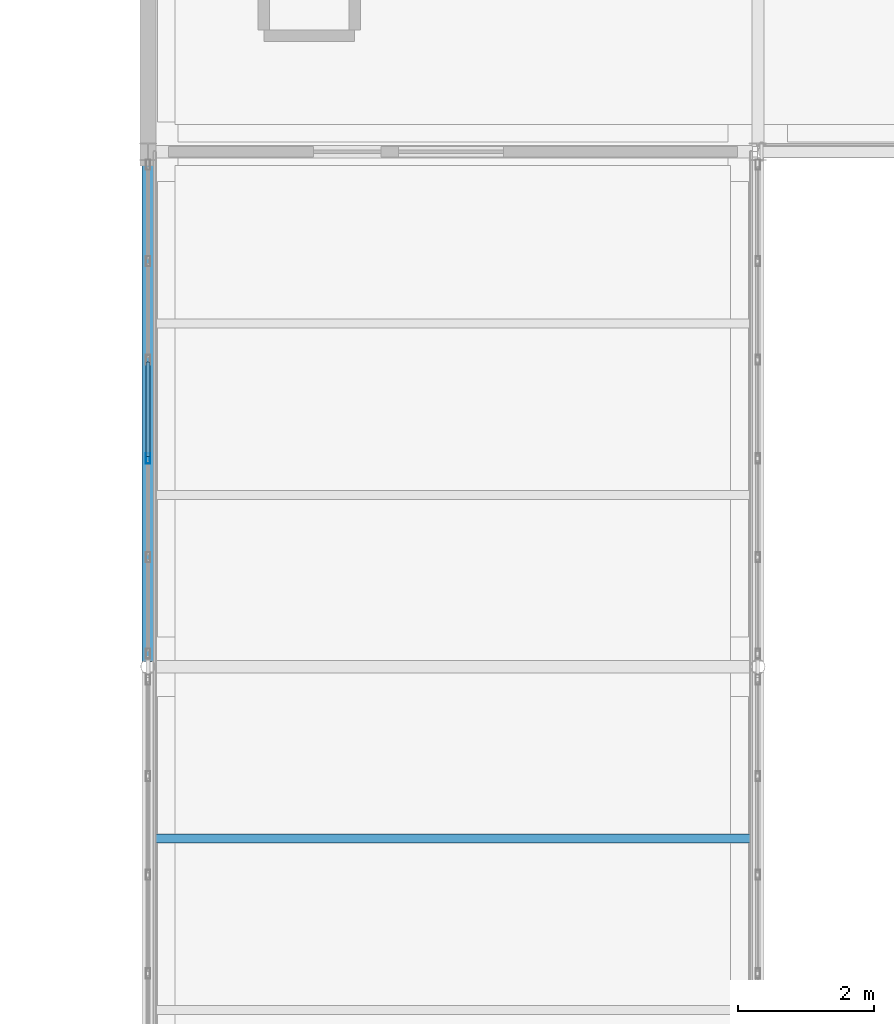
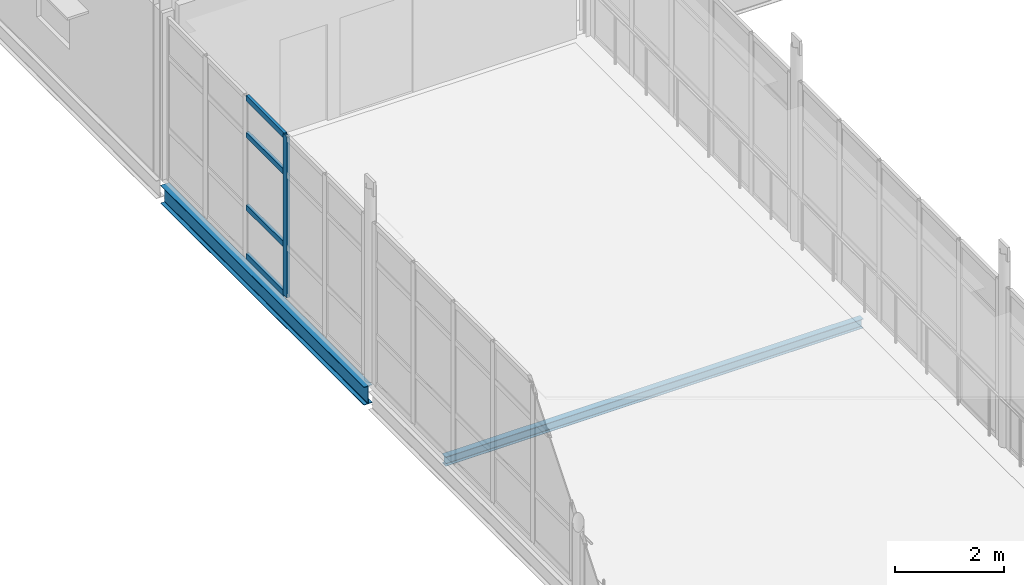
# One storey, part 73 of 166: 5 members, 2 beams, 1 element without a shape of its own.
"""IFC4 building model written with IfcOpenShell, lengths in metres."""

from ifc_helpers import new_model, si_unit, direction, frame, origin, origin_2d, place, context, subcontext, project, spatial, hollow_rectangle, i_section, extrude, material, material_profile, profile_set, type_object, element, aggregate, save


model = new_model("IFC4")

# Units and contexts
model_context = context("Model", 3, precision=1e-05, world=origin(), true_north=direction((0.0, 1.0)))
body_context = subcontext(model_context, "Body", "Model", "MODEL_VIEW")
ifc_project = project(units=[si_unit("LENGTHUNIT", "METRE"), si_unit("AREAUNIT", "SQUARE_METRE"), si_unit("VOLUMEUNIT", "CUBIC_METRE"), si_unit("PLANEANGLEUNIT", "RADIAN"), si_unit("MASSUNIT", "GRAM", prefix="KILO")], contexts=[model_context])

# Site, building, storey
site_placement = place(None, origin())
site = spatial("IfcSite", under=ifc_project, at=site_placement, CompositionType="ELEMENT")
building_placement = place(site_placement, origin())
building = spatial("IfcBuilding", under=site, at=building_placement, Name="Caisbarro Railhouse Central Library", CompositionType="ELEMENT")
storey_placement = place(building_placement, frame((0.0, 0.0, 9.360107421875)))
storey = spatial("IfcBuildingStorey", under=building, at=storey_placement, Name="L02", CompositionType="ELEMENT", Elevation=9.360107421875)

# Beams
ifc_material_1 = material(Name="Steel ASTM A572 Grade 50", Category="steel")
ifc_material_profile_1 = material_profile(ifc_material_1, i_section(OverallWidth=0.177978515625, OverallDepth=0.406982421875, WebThickness=0.0078125, FlangeThickness=0.0126953125, FilletRadius=0.01611328125, at=origin_2d()), Name="W410X60.0")
ifc_profile_set_1 = profile_set([ifc_material_profile_1], Name="Steel ASTM A572 Grade 50")
beam_type_1 = type_object("IfcBeamType", Name="BM-G10", PredefinedType="BEAM", material=ifc_profile_set_1)
beam_1_placement = place(storey_placement, frame((54.0, 76.080078125, -0.403564453125), z_axis=(0.0, 1.0, 0.0), x_axis=(-1.0, 0.0, 0.0)))
element("IfcBeam", 1, at=beam_1_placement, inside=storey, type_object=beam_type_1, Name="G10 beam L02 #1722", PredefinedType="BEAM", context=body_context, shape_type="SweptSolid", body=[
    extrude(i_section(OverallWidth=0.177978515625, OverallDepth=0.406982421875, WebThickness=0.0078125, FlangeThickness=0.0126953125, FilletRadius=0.01611328125, at=origin_2d()), origin(), (0.0, 0.0, 1.0), 7.43994140625),
])
ifc_material_profile_2 = material_profile(ifc_material_1, i_section(OverallWidth=0.133056640625, OverallDepth=0.20703125, WebThickness=0.005859375, FlangeThickness=0.00830078125, FilletRadius=0.010009765625, at=origin_2d()), Name="W200X26.6")
ifc_profile_set_2 = profile_set([ifc_material_profile_2], Name="Steel ASTM A572 Grade 50")
beam_type_2 = type_object("IfcBeamType", Name="BM-J07", PredefinedType="JOIST", material=ifc_profile_set_2)
beam_2_placement = place(storey_placement, frame((54.089111328125, 73.466796875, -0.3037109375), z_axis=(1.0, 0.0, 0.0), x_axis=(0.0, 1.0, 0.0)))
element("IfcBeam", 2, at=beam_2_placement, inside=storey, type_object=beam_type_2, Name="J07 beam L02 #1729", PredefinedType="JOIST", context=body_context, shape_type="SweptSolid", body=[
    extrude(i_section(OverallWidth=0.133056640625, OverallDepth=0.20703125, WebThickness=0.005859375, FlangeThickness=0.00830078125, FilletRadius=0.010009765625, at=origin_2d()), origin(), (0.0, 0.0, 1.0), 8.82177734375),
])

# Curtain wall, members
ifc_material_2 = material(Name="Anodised architectural aluminium", Category="aluminium")
curtain_wall_type = type_object("IfcCurtainWallType", Name="CW-CW03", PredefinedType="NOTDEFINED", material=ifc_material_2)
curtain_wall_placement = place(storey_placement, origin())
curtain_wall = element("IfcCurtainWall", 3, at=curtain_wall_placement, inside=storey, type_object=curtain_wall_type, Name="CW03 curtain wall L02 #206", PredefinedType="NOTDEFINED")
ifc_material_profile_3 = material_profile(ifc_material_2, hollow_rectangle(XDim=0.06494140625, YDim=0.14990234375, WallThickness=0.00390625, at=origin_2d()), Name="ALU-MUL-65X150")
ifc_profile_set_3 = profile_set([ifc_material_profile_3], Name="Anodised architectural aluminium")
member_type_1 = type_object("IfcMemberType", Name="CWM-M02", PredefinedType="MULLION", material=ifc_profile_set_3)
member_1_placement = place(storey_placement, frame((54.0, 79.072021484375, 0.0), z_axis=(0.0, 0.0, 1.0), x_axis=(-1.0, 0.0, 0.0)))
member_1 = element("IfcMember", 4, at=member_1_placement, type_object=member_type_1, Name="CW03 mullion 3", PredefinedType="MULLION", context=body_context, shape_type="SweptSolid", body=[
    extrude(hollow_rectangle(XDim=0.06494140625, YDim=0.14990234375, WallThickness=0.00390625, at=origin_2d()), origin(), (0.0, 0.0, 1.0), 3.58984375),
])
ifc_material_profile_4 = material_profile(ifc_material_2, hollow_rectangle(XDim=0.06494140625, YDim=0.1201171875, WallThickness=0.00341796875, at=origin_2d()), Name="ALU-TRN-65X120")
ifc_profile_set_4 = profile_set([ifc_material_profile_4], Name="Anodised architectural aluminium")
member_type_2 = type_object("IfcMemberType", Name="CWT-T02", PredefinedType="USERDEFINED", material=ifc_profile_set_4)
member_2_placement = place(storey_placement, frame((54.0, 79.1044921875, 0.032470703125), z_axis=(0.0, 1.0, 0.0), x_axis=(-1.0, 0.0, 0.0)))
member_2 = element("IfcMember", 5, at=member_2_placement, type_object=member_type_2, Name="CW03 transom 3.1", ObjectType="TRANSOM", PredefinedType="USERDEFINED", context=body_context, shape_type="SweptSolid", body=[
    extrude(hollow_rectangle(XDim=0.06494140625, YDim=0.1201171875, WallThickness=0.00341796875, at=origin_2d()), origin(), (0.0, 0.0, 1.0), 1.39111328125),
])
member_3_placement = place(storey_placement, frame((54.0, 79.1044921875, 1.119873046875), z_axis=(0.0, 1.0, 0.0), x_axis=(-1.0, 0.0, 0.0)))
member_3 = element("IfcMember", 6, at=member_3_placement, type_object=member_type_2, Name="CW03 transom 3.2", ObjectType="TRANSOM", PredefinedType="USERDEFINED", context=body_context, shape_type="SweptSolid", body=[
    extrude(hollow_rectangle(XDim=0.06494140625, YDim=0.1201171875, WallThickness=0.00341796875, at=origin_2d()), origin(), (0.0, 0.0, 1.0), 1.39111328125),
])
member_4_placement = place(storey_placement, frame((54.0, 79.1044921875, 2.739990234375), z_axis=(0.0, 1.0, 0.0), x_axis=(-1.0, 0.0, 0.0)))
member_4 = element("IfcMember", 7, at=member_4_placement, type_object=member_type_2, Name="CW03 transom 3.3", ObjectType="TRANSOM", PredefinedType="USERDEFINED", context=body_context, shape_type="SweptSolid", body=[
    extrude(hollow_rectangle(XDim=0.06494140625, YDim=0.1201171875, WallThickness=0.00341796875, at=origin_2d()), origin(), (0.0, 0.0, 1.0), 1.39111328125),
])
member_5_placement = place(storey_placement, frame((54.0, 79.1044921875, 3.557373046875), z_axis=(0.0, 1.0, 0.0), x_axis=(-1.0, 0.0, 0.0)))
member_5 = element("IfcMember", 8, at=member_5_placement, type_object=member_type_2, Name="CW03 transom 3.4", ObjectType="TRANSOM", PredefinedType="USERDEFINED", context=body_context, shape_type="SweptSolid", body=[
    extrude(hollow_rectangle(XDim=0.06494140625, YDim=0.1201171875, WallThickness=0.00341796875, at=origin_2d()), origin(), (0.0, 0.0, 1.0), 1.39111328125),
])
aggregate(curtain_wall, [member_1, member_2, member_3, member_4, member_5])

save(model, "model.ifc")
